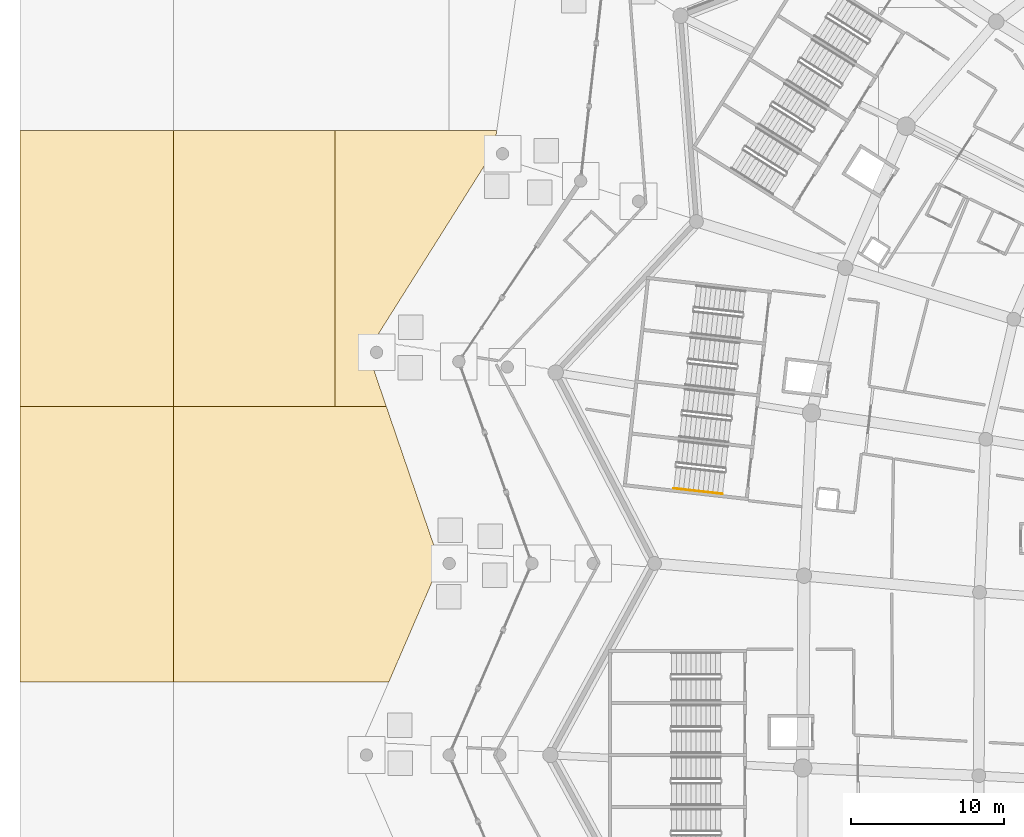
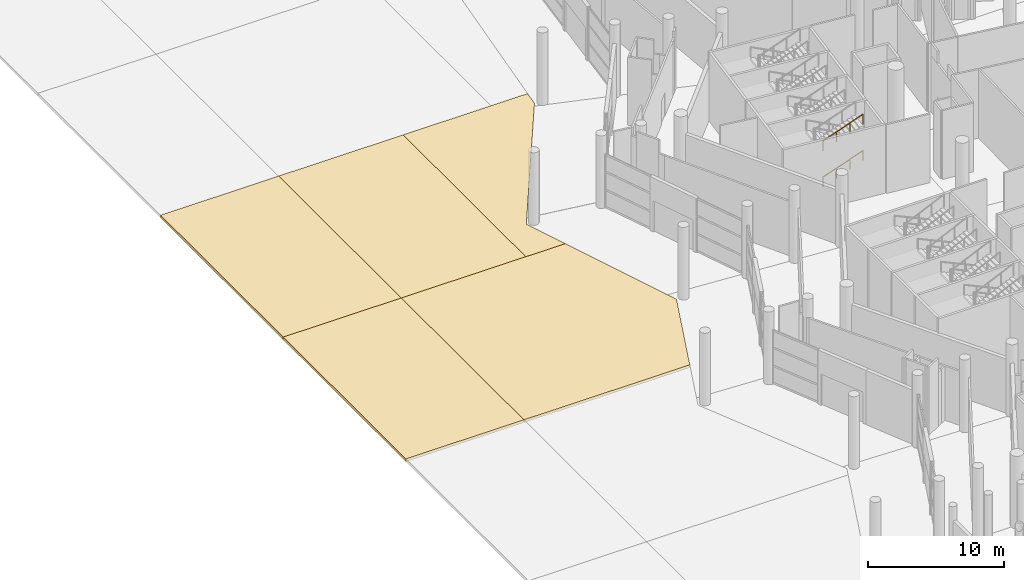
# One storey, part 225 of 255: 5 coverings, 2 railings.
"""IFC4 building model written with IfcOpenShell, lengths in metres."""

from ifc_helpers import new_model, si_unit, direction, frame, origin, origin_2d, place, context, subcontext, project, spatial, polyline, circle, outline, extrude, material, layer, layer_set, type_object, element, save


model = new_model("IFC4")

# Units and contexts
model_context = context("Model", 3, precision=1e-05, world=origin(), true_north=direction((0.0, 1.0)))
body_context = subcontext(model_context, "Body", "Model", "MODEL_VIEW")
ifc_project = project(units=[si_unit("LENGTHUNIT", "METRE"), si_unit("AREAUNIT", "SQUARE_METRE"), si_unit("VOLUMEUNIT", "CUBIC_METRE"), si_unit("PLANEANGLEUNIT", "RADIAN"), si_unit("MASSUNIT", "GRAM", prefix="KILO")], contexts=[model_context])

# Site, building, storey
site_placement = place(None, origin())
site = spatial("IfcSite", under=ifc_project, at=site_placement, CompositionType="ELEMENT")
building_placement = place(site_placement, origin())
building = spatial("IfcBuilding", under=site, at=building_placement, Name="Meseta Stadium", CompositionType="ELEMENT")
storey_placement = place(building_placement, origin())
storey = spatial("IfcBuildingStorey", under=building, at=storey_placement, Name="L00", CompositionType="ELEMENT", Elevation=0.0)

# Coverings
ifc_material_1 = material(Name="Guadarrama granite paving on bedding", Category="masonry")
ifc_layer = layer(ifc_material_1, 0.25)
ifc_layer_set = layer_set([ifc_layer], Name="Ground paving 250")
covering_type = type_object("IfcCoveringType", Name="Ground paving 250", PredefinedType="FLOORING", material=ifc_layer_set)
covering_1_placement = place(storey_placement, frame((0.0, 0.0, -0.25)))
element("IfcCovering", 1, at=covering_1_placement, inside=storey, type_object=covering_type, Name="Forecourt paving 42", PredefinedType="FLOORING", context=body_context, shape_type="SweptSolid", body=[
    extrude(outline(polyline([(-111.947998046875, 36.0), (-108.60009765625, 43.75), (-112.107421875, 54.0), (-126.0, 54.0), (-126.0, 36.0), (-111.947998046875, 36.0)])), origin(), (0.0, 0.0, 1.0), 0.25),
])
covering_2_placement = place(storey_placement, frame((0.0, 0.0, -0.25)))
element("IfcCovering", 2, at=covering_2_placement, inside=storey, type_object=covering_type, Name="Forecourt paving 43", PredefinedType="FLOORING", context=body_context, shape_type="SweptSolid", body=[
    extrude(outline(polyline([(-136.0, 54.0), (-136.0, 36.0), (-126.0, 36.0), (-126.0, 54.0), (-136.0, 54.0)])), origin(), (0.0, 0.0, 1.0), 0.25),
])
covering_3_placement = place(storey_placement, frame((0.0, 0.0, -0.25)))
element("IfcCovering", 3, at=covering_3_placement, inside=storey, type_object=covering_type, Name="Forecourt paving 45", PredefinedType="FLOORING", context=body_context, shape_type="SweptSolid", body=[
    extrude(outline(polyline([(-136.0, 72.0), (-136.0, 54.0), (-126.0, 54.0), (-126.0, 72.0), (-136.0, 72.0)])), origin(), (0.0, 0.0, 1.0), 0.25),
])
covering_4_placement = place(storey_placement, frame((0.0, 0.0, -0.25)))
element("IfcCovering", 4, at=covering_4_placement, inside=storey, type_object=covering_type, Name="Forecourt paving 46", PredefinedType="FLOORING", context=body_context, shape_type="SweptSolid", body=[
    extrude(outline(polyline([(-126.0, 72.0), (-126.0, 54.0), (-115.448974609375, 54.0), (-115.448974609375, 72.0), (-126.0, 72.0)])), origin(), (0.0, 0.0, 1.0), 0.25),
])
covering_5_placement = place(storey_placement, frame((0.0, 0.0, -0.25)))
element("IfcCovering", 5, at=covering_5_placement, inside=storey, type_object=covering_type, Name="Forecourt paving 48", PredefinedType="FLOORING", context=body_context, shape_type="SweptSolid", body=[
    extrude(outline(polyline([(-115.448974609375, 54.0), (-112.107421875, 54.0), (-113.334716796875, 57.5869140625), (-105.087158203125, 70.675537109375), (-104.89794921875, 72.0), (-115.448974609375, 72.0), (-115.448974609375, 54.0)])), origin(), (0.0, 0.0, 1.0), 0.25),
])

# Railings
ifc_material_2 = material(Name="Steel S355", Category="steel")
railing_type = type_object("IfcRailingType", Name="Stair handrail 900", PredefinedType="HANDRAIL", material=ifc_material_2)
for number, where, name in (
    (6, (-93.349609375, 48.64306640625, 1.772705078125), "ST60 L00 handrail 2"),
    (7, (-93.349609375, 48.64306640625, 5.022705078125), "ST60 L00 handrail 4"),
):
    element("IfcRailing", number, at=place(storey_placement, frame(where)), inside=storey, type_object=railing_type, Name=name, PredefinedType="HANDRAIL", context=body_context, shape_type="SweptSolid", body=[
        extrude(circle(Radius=0.02392578125, at=origin_2d()), frame((0.0, 0.0, 0.8759765625), z_axis=(0.902210289302, -0.10168481418, 0.419138154362), x_axis=(0.111997244021, 0.993708517288, 0.0)), (0.0, 0.0, 1.0), 3.524658203125),
        extrude(circle(Radius=0.02099609375, at=origin_2d()), origin(), (0.0, 0.0, 1.0), 0.851806640625),
        extrude(circle(Radius=0.02099609375, at=origin_2d()), frame((1.06005859375, -0.119384765625, 0.492431640625)), (0.0, 0.0, 1.0), 0.851806640625),
        extrude(circle(Radius=0.02099609375, at=origin_2d()), frame((2.119873046875, -0.239013671875, 0.98486328125)), (0.0, 0.0, 1.0), 0.851806640625),
        extrude(circle(Radius=0.02099609375, at=origin_2d()), frame((3.179931640625, -0.3583984375, 1.477294921875)), (0.0, 0.0, 1.0), 0.851806640625),
    ])

save(model, "model.ifc")
